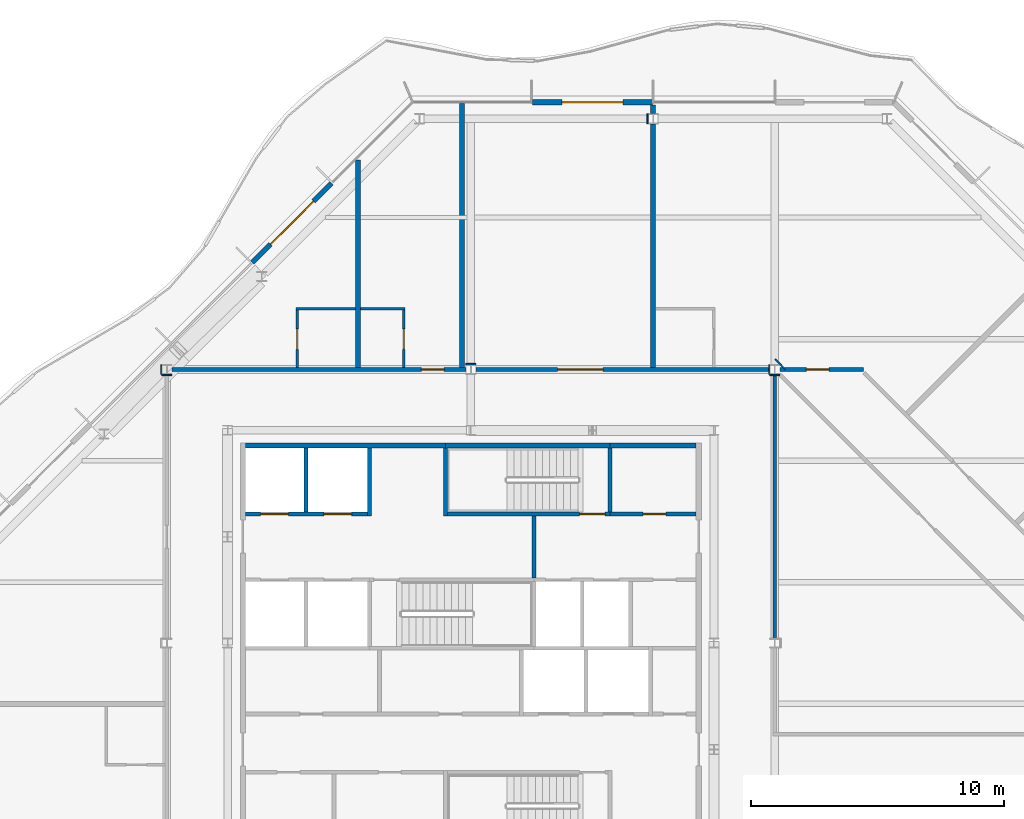
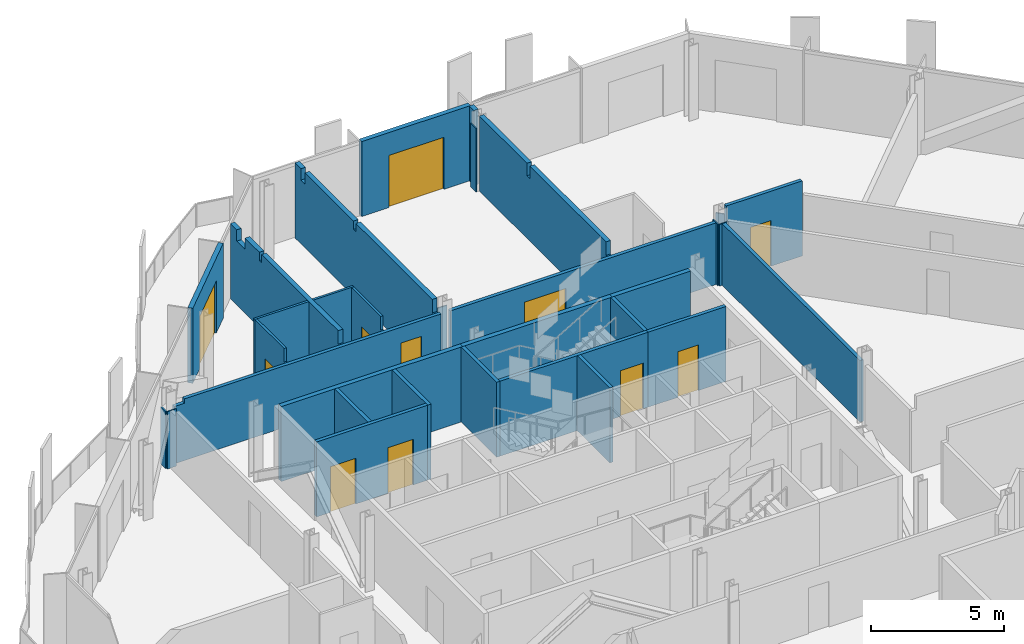
# One storey, part 11 of 17: 32 walls, 11 doors, 11 openings.
"""IFC4 building model written with IfcOpenShell, lengths in metres."""

from ifc_helpers import new_model, si_unit, direction, frame, frame_2d, origin, place, context, subcontext, project, spatial, polyline, rectangle, outline, extrude, material, layer, layer_set, type_object, element, fill, save


model = new_model("IFC4")

# Units and contexts
model_context = context("Model", 3, precision=1e-05, world=origin(), true_north=direction((0.0, 1.0)))
body_context = subcontext(model_context, "Body", "Model", "MODEL_VIEW")
ifc_project = project(units=[si_unit("LENGTHUNIT", "METRE"), si_unit("AREAUNIT", "SQUARE_METRE"), si_unit("VOLUMEUNIT", "CUBIC_METRE"), si_unit("PLANEANGLEUNIT", "RADIAN"), si_unit("MASSUNIT", "GRAM", prefix="KILO")], contexts=[model_context])

# Site, building, storey
site_placement = place(None, origin())
site = spatial("IfcSite", under=ifc_project, at=site_placement, CompositionType="ELEMENT")
building_placement = place(site_placement, origin())
building = spatial("IfcBuilding", under=site, at=building_placement, Name="Cairn Pilgrim Tower", CompositionType="ELEMENT")
storey_placement = place(building_placement, frame((0.0, 0.0, 239.39990234375)))
storey = spatial("IfcBuildingStorey", under=building, at=storey_placement, Name="L61", CompositionType="ELEMENT", Elevation=239.39990234375)

# Wall, opening, door
ifc_material_1 = material(Name="Bronze anodised aluminium insulated sandwich panel with mineral wool fill", Category="aluminium")
ifc_layer_1 = layer(ifc_material_1, 0.199951171875)
ifc_layer_set_1 = layer_set([ifc_layer_1], Name="BRONZE INFILL FRAME WALL 200")
wall_type_1 = type_object("IfcWallType", Name="BRONZE INFILL FRAME WALL 200", PredefinedType="NOTDEFINED", material=ifc_layer_set_1)
wall_1_placement = place(storey_placement, frame((14.3701171875, 23.75, 0.0), z_axis=(0.0, 0.0, 1.0), x_axis=(-1.0, 0.0, 0.0)))
wall_1 = element("IfcWall", 1, at=wall_1_placement, inside=storey, type_object=wall_type_1, Name="Bronze infill frame wall IW-N3", PredefinedType="NOTDEFINED", context=body_context, shape_type="SweptSolid", body=[
    extrude(rectangle(XDim=4.740234375, YDim=0.199951171875, at=frame_2d((2.3701171875, 0.0))), origin(), (0.0, 0.0, 1.0), 3.4501953125),
])
opening_1_placement = place(wall_1_placement, frame((1.169921875, 0.0, 0.0)))
opening_1 = element("IfcOpeningElement", 2, at=opening_1_placement, cuts=wall_1, Name="Opening 6109B", PredefinedType="OPENING", context=body_context, shape_type="SweptSolid", body=[
    extrude(rectangle(XDim=2.39990234375, YDim=2.39990234375, at=frame_2d((1.199951171875, 1.199951171875))), frame((0.0, 0.10986328125, 0.0), z_axis=(0.0, -1.0, 0.0), x_axis=(1.0, 0.0, 0.0)), (0.0, 0.0, 1.0), 0.219970703125),
])
ifc_material_2 = material(Name="Bronze anodised aluminium frame with tinted low-E glass", Category="aluminium")
door_type_1 = type_object("IfcDoorType", Name="BALCONY SLIDING DOOR 2400x2400", OperationType="DOUBLE_DOOR_SLIDING", PredefinedType="DOOR", material=ifc_material_2)
door_1_placement = place(opening_1_placement, origin())
door_1 = element("IfcDoor", 3, at=door_1_placement, inside=storey, type_object=door_type_1, Name="Balcony sliding door 6109B", OperationType="SINGLE_SWING_LEFT", OverallHeight=2.39990234375, OverallWidth=2.39990234375, PredefinedType="DOOR", context=body_context, shape_type="SweptSolid", body=[
    extrude(rectangle(XDim=2.39990234375, YDim=2.39990234375, at=frame_2d((1.199951171875, 1.199951171875))), frame((0.0, 0.02490234375, 0.0), z_axis=(0.0, -1.0, 0.0), x_axis=(1.0, 0.0, 0.0)), (0.0, 0.0, 1.0), 0.050048828125),
])
fill(opening_1, door_1)

wall_2_placement = place(storey_placement, frame((1.706787109375, 20.55322265625, 0.0), z_axis=(0.0, 0.0, 1.0), x_axis=(-0.707106781187, -0.707106781187, 0.0)))
wall_2 = element("IfcWall", 4, at=wall_2_placement, inside=storey, type_object=wall_type_1, Name="Bronze infill frame wall IW-NW2", PredefinedType="NOTDEFINED", context=body_context, shape_type="SweptSolid", body=[
    extrude(rectangle(XDim=4.43115234375, YDim=0.199951171875, at=frame_2d((2.215576171875, 0.0))), origin(), (0.0, 0.0, 1.0), 3.4501953125),
])
opening_2_placement = place(wall_2_placement, frame((1.015869140625, 0.0, 0.0)))
opening_2 = element("IfcOpeningElement", 5, at=opening_2_placement, cuts=wall_2, Name="Opening 6111B2", PredefinedType="OPENING", context=body_context, shape_type="SweptSolid", body=[
    extrude(rectangle(XDim=2.39990234375, YDim=2.39990234375, at=frame_2d((1.199951171875, 1.199951171875))), frame((0.0, 0.10986328125, 0.0), z_axis=(0.0, -1.0, 0.0), x_axis=(1.0, 0.0, 0.0)), (0.0, 0.0, 1.0), 0.219970703125),
])
door_2_placement = place(opening_2_placement, origin())
door_2 = element("IfcDoor", 6, at=door_2_placement, inside=storey, type_object=door_type_1, Name="Balcony sliding door 6111B2", OperationType="SINGLE_SWING_LEFT", OverallHeight=2.39990234375, OverallWidth=2.39990234375, PredefinedType="DOOR", context=body_context, shape_type="SweptSolid", body=[
    extrude(rectangle(XDim=2.39990234375, YDim=2.39990234375, at=frame_2d((1.199951171875, 1.199951171875))), frame((0.0, 0.02490234375, 0.0), z_axis=(0.0, -1.0, 0.0), x_axis=(1.0, 0.0, 0.0)), (0.0, 0.0, 1.0), 0.050048828125),
])
fill(opening_2, door_2)

# Walls
ifc_material_3 = material(Name="Concrete C32/40", Category="concrete")
ifc_layer_2 = layer(ifc_material_3, 0.199951171875)
ifc_layer_set_2 = layer_set([ifc_layer_2], Name="CORE OUTER WALL 200 EI 120")
wall_type_2 = type_object("IfcWallType", Name="CORE OUTER WALL 200 EI 120", PredefinedType="SOLIDWALL", material=ifc_layer_set_2)
wall_3_placement = place(storey_placement, frame((-1.699951171875, 10.199951171875, 0.0), z_axis=(0.0, 0.0, 1.0), x_axis=(1.0, 0.0, 0.0)))
element("IfcWall", 7, at=wall_3_placement, inside=storey, type_object=wall_type_2, Name="CW:L61:H12-1", PredefinedType="SOLIDWALL", context=body_context, shape_type="SweptSolid", body=[
    extrude(rectangle(XDim=7.89990234375, YDim=0.199951171875, at=frame_2d((3.949951171875, 0.0))), origin(), (0.0, 0.0, 1.0), 3.4501953125),
])
wall_4_placement = place(storey_placement, frame((12.699951171875, 10.199951171875, 0.0), z_axis=(0.0, 0.0, 1.0), x_axis=(1.0, 0.0, 0.0)))
element("IfcWall", 8, at=wall_4_placement, inside=storey, type_object=wall_type_2, Name="CW:L61:H12-3", PredefinedType="SOLIDWALL", context=body_context, shape_type="SweptSolid", body=[
    extrude(rectangle(XDim=3.400146484375, YDim=0.199951171875, at=frame_2d((1.7001953125, 0.0))), origin(), (0.0, 0.0, 1.0), 3.4501953125),
])

# Wall, openings, doors
ifc_layer_3 = layer(ifc_material_3, 0.14990234375)
ifc_layer_set_3 = layer_set([ifc_layer_3], Name="CORE SHAFT WALL 150 EI 120")
wall_type_3 = type_object("IfcWallType", Name="CORE SHAFT WALL 150 EI 120", PredefinedType="SOLIDWALL", material=ifc_layer_set_3)
wall_5_placement = place(storey_placement, frame((-1.699951171875, 7.5, 0.0), z_axis=(0.0, 0.0, 1.0), x_axis=(1.0, 0.0, 0.0)))
wall_5 = element("IfcWall", 9, at=wall_5_placement, inside=storey, type_object=wall_type_3, Name="CW:L61:H10", PredefinedType="SOLIDWALL", context=body_context, shape_type="SweptSolid", body=[
    extrude(rectangle(XDim=4.824951171875, YDim=0.14990234375, at=frame_2d((2.41259765625, 0.0))), origin(), (0.0, 0.0, 1.0), 3.4501953125),
])
opening_3_placement = place(wall_5_placement, frame((0.60009765625, 0.0, 0.0)))
opening_3 = element("IfcOpeningElement", 10, at=opening_3_placement, cuts=wall_5, Name="Opening LD-HR3", PredefinedType="OPENING", context=body_context, shape_type="SweptSolid", body=[
    extrude(rectangle(XDim=1.10009765625, YDim=2.10009765625, at=frame_2d((0.550048828125, 1.050048828125))), frame((0.0, 0.0849609375, 0.0), z_axis=(0.0, -1.0, 0.0), x_axis=(1.0, 0.0, 0.0)), (0.0, 0.0, 1.0), 0.169921875),
])
opening_4_placement = place(wall_5_placement, frame((3.10009765625, 0.0, 0.0)))
opening_4 = element("IfcOpeningElement", 11, at=opening_4_placement, cuts=wall_5, Name="Opening LD-HR4", PredefinedType="OPENING", context=body_context, shape_type="SweptSolid", body=[
    extrude(rectangle(XDim=1.10009765625, YDim=2.10009765625, at=frame_2d((0.550048828125, 1.050048828125))), frame((0.0, 0.0849609375, 0.0), z_axis=(0.0, -1.0, 0.0), x_axis=(1.0, 0.0, 0.0)), (0.0, 0.0, 1.0), 0.169921875),
])
ifc_material_4 = material(Name="Stainless steel", Category="steel")
door_type_2 = type_object("IfcDoorType", Name="LIFT LANDING DOOR 1100x2100", OperationType="DOUBLE_DOOR_SLIDING", PredefinedType="DOOR", material=ifc_material_4)
door_3_placement = place(opening_3_placement, origin())
door_3 = element("IfcDoor", 12, at=door_3_placement, inside=storey, type_object=door_type_2, Name="LANDING DOOR HR3", OperationType="DOUBLE_DOOR_SLIDING", OverallHeight=2.10009765625, OverallWidth=1.10009765625, PredefinedType="DOOR", context=body_context, shape_type="SweptSolid", body=[
    extrude(rectangle(XDim=1.10009765625, YDim=2.10009765625, at=frame_2d((0.550048828125, 1.050048828125))), frame((0.0, 0.02490234375, 0.0), z_axis=(0.0, -1.0, 0.0), x_axis=(1.0, 0.0, 0.0)), (0.0, 0.0, 1.0), 0.050048828125),
])
fill(opening_3, door_3)
door_4_placement = place(opening_4_placement, origin())
door_4 = element("IfcDoor", 13, at=door_4_placement, inside=storey, type_object=door_type_2, Name="LANDING DOOR HR4", OperationType="DOUBLE_DOOR_SLIDING", OverallHeight=2.10009765625, OverallWidth=1.10009765625, PredefinedType="DOOR", context=body_context, shape_type="SweptSolid", body=[
    extrude(rectangle(XDim=1.10009765625, YDim=2.10009765625, at=frame_2d((0.550048828125, 1.050048828125))), frame((0.0, 0.02490234375, 0.0), z_axis=(0.0, -1.0, 0.0), x_axis=(1.0, 0.0, 0.0)), (0.0, 0.0, 1.0), 0.050048828125),
])
fill(opening_4, door_4)

# Wall, opening, door
wall_6_placement = place(storey_placement, frame((12.699951171875, 7.5, 0.0), z_axis=(0.0, 0.0, 1.0), x_axis=(1.0, 0.0, 0.0)))
wall_6 = element("IfcWall", 14, at=wall_6_placement, inside=storey, type_object=wall_type_3, Name="CW:L61:H11-2", PredefinedType="SOLIDWALL", context=body_context, shape_type="SweptSolid", body=[
    extrude(rectangle(XDim=3.400146484375, YDim=0.14990234375, at=frame_2d((1.7001953125, 0.0))), origin(), (0.0, 0.0, 1.0), 3.4501953125),
])
opening_5_placement = place(wall_6_placement, frame((1.300048828125, 0.0, 0.0)))
opening_5 = element("IfcOpeningElement", 15, at=opening_5_placement, cuts=wall_6, Name="Opening RD-R4E", PredefinedType="OPENING", context=body_context, shape_type="SweptSolid", body=[
    extrude(rectangle(XDim=0.89990234375, YDim=2.10009765625, at=frame_2d((0.449951171875, 1.050048828125))), frame((0.0, 0.0849609375, 0.0), z_axis=(0.0, -1.0, 0.0), x_axis=(1.0, 0.0, 0.0)), (0.0, 0.0, 1.0), 0.169921875),
])
ifc_material_5 = material(Name="Painted steel", Category="steel")
door_type_3 = type_object("IfcDoorType", Name="SERVICE ROOM DOOR 900x2100", OperationType="SINGLE_SWING_LEFT", PredefinedType="DOOR", material=ifc_material_5)
door_5_placement = place(opening_5_placement, origin())
door_5 = element("IfcDoor", 16, at=door_5_placement, inside=storey, type_object=door_type_3, Name="RD-R4E", OperationType="SINGLE_SWING_RIGHT", OverallHeight=2.10009765625, OverallWidth=0.89990234375, PredefinedType="DOOR", context=body_context, shape_type="SweptSolid", body=[
    extrude(rectangle(XDim=0.89990234375, YDim=2.10009765625, at=frame_2d((0.449951171875, 1.050048828125))), frame((0.0, 0.02490234375, 0.0), z_axis=(0.0, -1.0, 0.0), x_axis=(1.0, 0.0, 0.0)), (0.0, 0.0, 1.0), 0.050048828125),
])
fill(opening_5, door_5)

# Walls
wall_7_placement = place(storey_placement, frame((0.699951171875, 7.574951171875, 0.0), z_axis=(0.0, 0.0, 1.0), x_axis=(0.0, 1.0, 0.0)))
element("IfcWall", 17, at=wall_7_placement, inside=storey, type_object=wall_type_3, Name="CW:L61:V15", PredefinedType="SOLIDWALL", context=body_context, shape_type="SweptSolid", body=[
    extrude(rectangle(XDim=2.525146484375, YDim=0.14990234375, at=frame_2d((1.2626953125, 0.0))), origin(), (0.0, 0.0, 1.0), 3.4501953125),
])
wall_8_placement = place(storey_placement, frame((3.199951171875, 7.425048828125, 0.0), z_axis=(0.0, 0.0, 1.0), x_axis=(0.0, 1.0, 0.0)))
element("IfcWall", 18, at=wall_8_placement, inside=storey, type_object=wall_type_3, Name="CW:L61:V18", PredefinedType="SOLIDWALL", context=body_context, shape_type="SweptSolid", body=[
    extrude(rectangle(XDim=2.675048828125, YDim=0.14990234375, at=frame_2d((1.33740234375, 0.0))), origin(), (0.0, 0.0, 1.0), 3.4501953125),
])
wall_9_placement = place(storey_placement, frame((9.699951171875, 4.97509765625, 0.0), z_axis=(0.0, 0.0, 1.0), x_axis=(0.0, 1.0, 0.0)))
element("IfcWall", 19, at=wall_9_placement, inside=storey, type_object=wall_type_3, Name="CW:L61:V24", PredefinedType="SOLIDWALL", context=body_context, shape_type="SweptSolid", body=[
    extrude(rectangle(XDim=2.449951171875, YDim=0.14990234375, at=frame_2d((1.22509765625, 0.0))), origin(), (0.0, 0.0, 1.0), 3.4501953125),
])

# Wall, opening, door
ifc_material_6 = material(Name="Gypsum partition")
ifc_layer_4 = layer(ifc_material_6, 0.10009765625)
ifc_layer_set_4 = layer_set([ifc_layer_4], Name="PARTITION 100 DRYWALL")
wall_type_4 = type_object("IfcWallType", Name="PARTITION 100 DRYWALL", PredefinedType="PARTITIONING", material=ifc_layer_set_4)
wall_10_placement = place(storey_placement, frame((0.35205078125, 13.27490234375, 0.0), z_axis=(0.0, 0.0, 1.0), x_axis=(0.0, 1.0, 0.0)))
wall_10 = element("IfcWall", 20, at=wall_10_placement, inside=storey, type_object=wall_type_4, Name="PARTITION W070", PredefinedType="PARTITIONING", context=body_context, shape_type="SweptSolid", body=[
    extrude(outline(polyline([(0.0, 0.0), (2.275146484375, 0.0), (2.27490234375, 3.4501953125), (0.074951171875, 3.4501953125), (0.072998046875, 2.830078125), (0.0, 2.830078125), (0.0, 0.0)])), frame((0.0, 0.050048828125, 0.0), z_axis=(0.0, -1.0, 0.0), x_axis=(1.0, 0.0, 0.0)), (0.0, 0.0, 1.0), 0.10009765625),
])
opening_6_placement = place(wall_10_placement, frame((0.72509765625, 0.0, 0.0)))
opening_6 = element("IfcOpeningElement", 21, at=opening_6_placement, cuts=wall_10, Name="Opening 6111A", PredefinedType="OPENING", context=body_context, shape_type="SweptSolid", body=[
    extrude(rectangle(XDim=0.800048828125, YDim=2.10009765625, at=frame_2d((0.39990234375, 1.050048828125))), frame((0.0, 0.06005859375, 0.0), z_axis=(0.0, -1.0, 0.0), x_axis=(1.0, 0.0, 0.0)), (0.0, 0.0, 1.0), 0.1201171875),
])
ifc_material_7 = material(Name="Timber door leaf", Category="wood")
door_type_4 = type_object("IfcDoorType", Name="WC DOOR 800x2100", OperationType="NOTDEFINED", PredefinedType="DOOR", material=ifc_material_7)
door_6_placement = place(opening_6_placement, origin())
door_6 = element("IfcDoor", 22, at=door_6_placement, inside=storey, type_object=door_type_4, Name="DOOR 6111A", OperationType="SINGLE_SWING_LEFT", OverallHeight=2.10009765625, OverallWidth=0.800048828125, PredefinedType="DOOR", context=body_context, shape_type="SweptSolid", body=[
    extrude(rectangle(XDim=0.800048828125, YDim=2.10009765625, at=frame_2d((0.39990234375, 1.050048828125))), frame((0.0, 0.02490234375, 0.0), z_axis=(0.0, -1.0, 0.0), x_axis=(1.0, 0.0, 0.0)), (0.0, 0.0, 1.0), 0.050048828125),
])
fill(opening_6, door_6)

wall_11_placement = place(storey_placement, frame((4.552001953125, 13.27490234375, 0.0), z_axis=(0.0, 0.0, 1.0), x_axis=(0.0, 1.0, 0.0)))
wall_11 = element("IfcWall", 23, at=wall_11_placement, inside=storey, type_object=wall_type_4, Name="PARTITION W072", PredefinedType="PARTITIONING", context=body_context, shape_type="SweptSolid", body=[
    extrude(outline(polyline([(0.0, 0.0), (2.275146484375, 0.0), (2.27490234375, 3.4501953125), (0.074951171875, 3.4501953125), (0.072998046875, 2.830078125), (0.0, 2.830078125), (0.0, 0.0)])), frame((0.0, 0.050048828125, 0.0), z_axis=(0.0, -1.0, 0.0), x_axis=(1.0, 0.0, 0.0)), (0.0, 0.0, 1.0), 0.10009765625),
])
opening_7_placement = place(wall_11_placement, frame((0.72509765625, 0.0, 0.0)))
opening_7 = element("IfcOpeningElement", 24, at=opening_7_placement, cuts=wall_11, Name="Opening 6110A", PredefinedType="OPENING", context=body_context, shape_type="SweptSolid", body=[
    extrude(rectangle(XDim=0.800048828125, YDim=2.10009765625, at=frame_2d((0.39990234375, 1.050048828125))), frame((0.0, 0.06005859375, 0.0), z_axis=(0.0, -1.0, 0.0), x_axis=(1.0, 0.0, 0.0)), (0.0, 0.0, 1.0), 0.1201171875),
])
door_7_placement = place(opening_7_placement, frame((0.800048828125, 0.0, 0.0), z_axis=(0.0, 0.0, 1.0), x_axis=(-1.0, 0.0, 0.0)))
door_7 = element("IfcDoor", 25, at=door_7_placement, inside=storey, type_object=door_type_4, Name="DOOR 6110A", OperationType="SINGLE_SWING_LEFT", OverallHeight=2.10009765625, OverallWidth=0.800048828125, PredefinedType="DOOR", context=body_context, shape_type="SweptSolid", body=[
    extrude(rectangle(XDim=0.800048828125, YDim=2.10009765625, at=frame_2d((0.39990234375, 1.050048828125))), frame((0.0, 0.02490234375, 0.0), z_axis=(0.0, -1.0, 0.0), x_axis=(1.0, 0.0, 0.0)), (0.0, 0.0, 1.0), 0.050048828125),
])
fill(opening_7, door_7)

# Walls
wall_12_placement = place(storey_placement, frame((0.302001953125, 15.60009765625, 0.0), z_axis=(0.0, 0.0, 1.0), x_axis=(1.0, 0.0, 0.0)))
element("IfcWall", 26, at=wall_12_placement, inside=storey, type_object=wall_type_4, Name="PARTITION W076", PredefinedType="PARTITIONING", context=body_context, shape_type="SweptSolid", body=[
    extrude(rectangle(XDim=2.35009765625, YDim=0.10009765625, at=frame_2d((1.175048828125, 0.0))), origin(), (0.0, 0.0, 1.0), 3.4501953125),
])
wall_13_placement = place(storey_placement, frame((2.85205078125, 15.60009765625, 0.0), z_axis=(0.0, 0.0, 1.0), x_axis=(1.0, 0.0, 0.0)))
element("IfcWall", 27, at=wall_13_placement, inside=storey, type_object=wall_type_4, Name="PARTITION W077", PredefinedType="PARTITIONING", context=body_context, shape_type="SweptSolid", body=[
    extrude(rectangle(XDim=1.75, YDim=0.10009765625, at=frame_2d((0.875, 0.0))), origin(), (0.0, 0.0, 1.0), 3.4501953125),
])
ifc_layer_5 = layer(ifc_material_6, 0.14990234375)
ifc_layer_set_5 = layer_set([ifc_layer_5], Name="PARTITION 150 DRYWALL EI 60")
wall_type_5 = type_object("IfcWallType", Name="PARTITION 150 DRYWALL EI 60", PredefinedType="PARTITIONING", material=ifc_layer_set_5)
wall_14_placement = place(storey_placement, frame((19.199951171875, 2.58740234375, 0.0), z_axis=(0.0, 0.0, 1.0), x_axis=(0.0, 1.0, 0.0)))
element("IfcWall", 28, at=wall_14_placement, inside=storey, type_object=wall_type_5, Name="PARTITION W059", PredefinedType="PARTITIONING", context=body_context, shape_type="SweptSolid", body=[
    extrude(rectangle(XDim=10.425048828125, YDim=0.14990234375, at=frame_2d((5.21240234375, 0.0))), origin(), (0.0, 0.0, 1.0), 2.830078125),
])

# Wall, opening, door
wall_15_placement = place(storey_placement, frame((-4.60302734375, 13.199951171875, 0.0), z_axis=(0.0, 0.0, 1.0), x_axis=(1.0, 0.0, 0.0)))
wall_15 = element("IfcWall", 29, at=wall_15_placement, inside=storey, type_object=wall_type_5, Name="PARTITION W067", PredefinedType="PARTITIONING", context=body_context, shape_type="SweptSolid", body=[
    extrude(outline(polyline([(0.0, 0.0), (11.60595703125, 0.0), (11.60595703125, 2.830078125), (0.44580078125, 2.830078125), (0.44384765625, 2.630126953125), (0.0, 2.630126953125), (0.0, 0.0)])), frame((0.0, 0.074951171875, 0.0), z_axis=(0.0, -1.0, 0.0), x_axis=(1.0, 0.0, 0.0)), (0.0, 0.0, 1.0), 0.14990234375),
])
opening_8_placement = place(wall_15_placement, frame((9.85302734375, 0.0, 0.0)))
opening_8 = element("IfcOpeningElement", 30, at=opening_8_placement, cuts=wall_15, Name="Opening 6110", PredefinedType="OPENING", context=body_context, shape_type="SweptSolid", body=[
    extrude(rectangle(XDim=0.89990234375, YDim=2.10009765625, at=frame_2d((0.449951171875, 1.050048828125))), frame((0.0, 0.0849609375, 0.0), z_axis=(0.0, -1.0, 0.0), x_axis=(1.0, 0.0, 0.0)), (0.0, 0.0, 1.0), 0.169921875),
])
door_type_5 = type_object("IfcDoorType", Name="ROOM DOOR 900x2100 FD30S", OperationType="NOTDEFINED", PredefinedType="DOOR", material=ifc_material_7)
door_8_placement = place(opening_8_placement, origin())
door_8 = element("IfcDoor", 31, at=door_8_placement, inside=storey, type_object=door_type_5, Name="DOOR 6110", OperationType="SINGLE_SWING_LEFT", OverallHeight=2.10009765625, OverallWidth=0.89990234375, PredefinedType="DOOR", context=body_context, shape_type="SweptSolid", body=[
    extrude(rectangle(XDim=0.89990234375, YDim=2.10009765625, at=frame_2d((0.449951171875, 1.050048828125))), frame((0.0, 0.02490234375, 0.0), z_axis=(0.0, -1.0, 0.0), x_axis=(1.0, 0.0, 0.0)), (0.0, 0.0, 1.0), 0.050048828125),
])
fill(opening_8, door_8)

wall_16_placement = place(storey_placement, frame((7.39697265625, 13.199951171875, 0.0), z_axis=(0.0, 0.0, 1.0), x_axis=(1.0, 0.0, 0.0)))
wall_16 = element("IfcWall", 32, at=wall_16_placement, inside=storey, type_object=wall_type_5, Name="PARTITION W068", PredefinedType="PARTITIONING", context=body_context, shape_type="SweptSolid", body=[
    extrude(rectangle(XDim=11.60595703125, YDim=0.14990234375, at=frame_2d((5.802978515625, 0.0))), origin(), (0.0, 0.0, 1.0), 2.830078125),
])
opening_9_placement = place(wall_16_placement, frame((3.22705078125, 0.0, 0.0)))
opening_9 = element("IfcOpeningElement", 33, at=opening_9_placement, cuts=wall_16, Name="Opening 6109", PredefinedType="OPENING", context=body_context, shape_type="SweptSolid", body=[
    extrude(rectangle(XDim=1.800048828125, YDim=2.10009765625, at=frame_2d((0.89990234375, 1.050048828125))), frame((0.0, 0.0849609375, 0.0), z_axis=(0.0, -1.0, 0.0), x_axis=(1.0, 0.0, 0.0)), (0.0, 0.0, 1.0), 0.169921875),
])
door_type_6 = type_object("IfcDoorType", Name="DOOR PAIR 1800x2100 FD60S", OperationType="NOTDEFINED", PredefinedType="DOOR", material=ifc_material_7)
door_9_placement = place(opening_9_placement, origin())
door_9 = element("IfcDoor", 34, at=door_9_placement, inside=storey, type_object=door_type_6, Name="DOOR 6109", OperationType="DOUBLE_DOOR_SINGLE_SWING", OverallHeight=2.10009765625, OverallWidth=1.800048828125, PredefinedType="DOOR", context=body_context, shape_type="SweptSolid", body=[
    extrude(rectangle(XDim=1.800048828125, YDim=2.10009765625, at=frame_2d((0.89990234375, 1.050048828125))), frame((0.0, 0.02490234375, 0.0), z_axis=(0.0, -1.0, 0.0), x_axis=(1.0, 0.0, 0.0)), (0.0, 0.0, 1.0), 0.050048828125),
])
fill(opening_9, door_9)

wall_17_placement = place(storey_placement, frame((19.39697265625, 13.199951171875, 0.0), z_axis=(0.0, 0.0, 1.0), x_axis=(1.0, 0.0, 0.0)))
wall_17 = element("IfcWall", 35, at=wall_17_placement, inside=storey, type_object=wall_type_5, Name="PARTITION W069", PredefinedType="PARTITIONING", context=body_context, shape_type="SweptSolid", body=[
    extrude(rectangle(XDim=3.30322265625, YDim=0.14990234375, at=frame_2d((1.651611328125, 0.0))), origin(), (0.0, 0.0, 1.0), 3.4501953125),
])
opening_10_placement = place(wall_17_placement, frame((1.050048828125, 0.0, 0.0)))
opening_10 = element("IfcOpeningElement", 36, at=opening_10_placement, cuts=wall_17, Name="Opening 6108", PredefinedType="OPENING", context=body_context, shape_type="SweptSolid", body=[
    extrude(rectangle(XDim=0.89990234375, YDim=2.10009765625, at=frame_2d((0.449951171875, 1.050048828125))), frame((0.0, 0.0849609375, 0.0), z_axis=(0.0, -1.0, 0.0), x_axis=(1.0, 0.0, 0.0)), (0.0, 0.0, 1.0), 0.169921875),
])
door_10_placement = place(opening_10_placement, origin())
door_10 = element("IfcDoor", 37, at=door_10_placement, inside=storey, type_object=door_type_5, Name="DOOR 6108", OperationType="SINGLE_SWING_RIGHT", OverallHeight=2.10009765625, OverallWidth=0.89990234375, PredefinedType="DOOR", context=body_context, shape_type="SweptSolid", body=[
    extrude(rectangle(XDim=0.89990234375, YDim=2.10009765625, at=frame_2d((0.449951171875, 1.050048828125))), frame((0.0, 0.02490234375, 0.0), z_axis=(0.0, -1.0, 0.0), x_axis=(1.0, 0.0, 0.0)), (0.0, 0.0, 1.0), 0.050048828125),
])
fill(opening_10, door_10)

# Walls
ifc_layer_6 = layer(ifc_material_6, 0.050048828125)
ifc_layer_set_6 = layer_set([ifc_layer_6], Name="PARTITION 50 DRYWALL EI 60")
wall_type_6 = type_object("IfcWallType", Name="PARTITION 50 DRYWALL EI 60", PredefinedType="PARTITIONING", material=ifc_layer_set_6)
wall_18_placement = place(storey_placement, frame((-5.02197265625, 13.012451171875, 0.0), z_axis=(0.0, 0.0, 1.0), x_axis=(0.0, 1.0, 0.0)))
element("IfcWall", 38, at=wall_18_placement, inside=storey, type_object=wall_type_6, Name="COLUMN CASING WC05", PredefinedType="PARTITIONING", context=body_context, shape_type="SweptSolid", body=[
    extrude(rectangle(XDim=0.375, YDim=0.050048828125, at=frame_2d((0.1875, 0.0))), origin(), (0.0, 0.0, 1.0), 2.630126953125),
])
wall_19_placement = place(storey_placement, frame((18.97802734375, 13.012451171875, 0.0), z_axis=(0.0, 0.0, 1.0), x_axis=(0.0, 1.0, 0.0)))
element("IfcWall", 39, at=wall_19_placement, inside=storey, type_object=wall_type_6, Name="COLUMN CASING WC13", PredefinedType="PARTITIONING", context=body_context, shape_type="SweptSolid", body=[
    extrude(rectangle(XDim=0.375, YDim=0.050048828125, at=frame_2d((0.1875, 0.0))), origin(), (0.0, 0.0, 1.0), 2.830078125),
])
wall_20_placement = place(storey_placement, frame((19.602294921875, 13.2177734375, 0.0), z_axis=(0.0, 0.0, 1.0), x_axis=(-0.707106781187, 0.707106781187, 0.0)))
element("IfcWall", 40, at=wall_20_placement, inside=storey, type_object=wall_type_6, Name="COLUMN CASING WC15", PredefinedType="PARTITIONING", context=body_context, shape_type="SweptSolid", body=[
    extrude(rectangle(XDim=0.543701171875, YDim=0.050048828125, at=frame_2d((0.27197265625, 0.0))), origin(), (0.0, 0.0, 1.0), 2.93017578125),
])
wall_21_placement = place(storey_placement, frame((-4.9970703125, 12.987548828125, 0.0), z_axis=(0.0, 0.0, 1.0), x_axis=(1.0, 0.0, 0.0)))
element("IfcWall", 41, at=wall_21_placement, inside=storey, type_object=wall_type_6, Name="COLUMN CASING WC19", PredefinedType="PARTITIONING", context=body_context, shape_type="SweptSolid", body=[
    extrude(rectangle(XDim=0.39404296875, YDim=0.050048828125, at=frame_2d((0.197021484375, 0.0))), origin(), (0.0, 0.0, 1.0), 2.630126953125),
])
wall_22_placement = place(storey_placement, frame((7.0029296875, 13.41259765625, 0.0), z_axis=(0.0, 0.0, 1.0), x_axis=(1.0, 0.0, 0.0)))
element("IfcWall", 42, at=wall_22_placement, inside=storey, type_object=wall_type_6, Name="COLUMN CASING WC20", PredefinedType="PARTITIONING", context=body_context, shape_type="SweptSolid", body=[
    extrude(rectangle(XDim=0.39404296875, YDim=0.050048828125, at=frame_2d((0.197021484375, 0.0))), origin(), (0.0, 0.0, 1.0), 2.93017578125),
])
wall_23_placement = place(storey_placement, frame((19.0029296875, 12.987548828125, 0.0), z_axis=(0.0, 0.0, 1.0), x_axis=(1.0, 0.0, 0.0)))
element("IfcWall", 43, at=wall_23_placement, inside=storey, type_object=wall_type_6, Name="COLUMN CASING WC21", PredefinedType="PARTITIONING", context=body_context, shape_type="SweptSolid", body=[
    extrude(rectangle(XDim=0.39404296875, YDim=0.050048828125, at=frame_2d((0.197021484375, 0.0))), origin(), (0.0, 0.0, 1.0), 2.830078125),
])
wall_24_placement = place(storey_placement, frame((14.173095703125, 22.896484375, 0.0), z_axis=(0.0, 0.0, 1.0), x_axis=(0.0, 1.0, 0.0)))
element("IfcWall", 44, at=wall_24_placement, inside=storey, type_object=wall_type_6, Name="COLUMN CASING WC22", PredefinedType="PARTITIONING", context=body_context, shape_type="SweptSolid", body=[
    extrude(rectangle(XDim=0.406982421875, YDim=0.050048828125, at=frame_2d((0.20361328125, 0.0))), origin(), (0.0, 0.0, 1.0), 2.93017578125),
])
ifc_layer_7 = layer(ifc_material_6, 0.199951171875)
ifc_layer_set_7 = layer_set([ifc_layer_7], Name="SHAFT WALL 200 GYPSUM EI 60")
wall_type_7 = type_object("IfcWallType", Name="SHAFT WALL 200 GYPSUM EI 60", PredefinedType="PARTITIONING", material=ifc_layer_set_7)
wall_25_placement = place(storey_placement, frame((2.751953125, 13.27490234375, 0.0), z_axis=(0.0, 0.0, 1.0), x_axis=(0.0, 1.0, 0.0)))
element("IfcWall", 45, at=wall_25_placement, inside=storey, type_object=wall_type_7, Name="PARTITION W071", PredefinedType="PARTITIONING", context=body_context, shape_type="SweptSolid", body=[
    extrude(outline(polyline([(0.0, 0.0), (8.199462890625, 0.0), (8.199462890625, 3.4501953125), (7.71630859375, 3.4501953125), (7.71435546875, 2.93017578125), (7.092041015625, 2.93017578125), (7.090087890625, 3.4501953125), (6.010009765625, 3.4501953125), (6.008056640625, 3.070068359375), (5.840087890625, 3.070068359375), (5.837890625, 3.4501953125), (0.074951171875, 3.4501953125), (0.072998046875, 2.830078125), (0.0, 2.830078125), (0.0, 0.0)])), frame((0.0, 0.10009765625, 0.0), z_axis=(0.0, -1.0, 0.0), x_axis=(1.0, 0.0, 0.0)), (0.0, 0.0, 1.0), 0.199951171875),
])
wall_26_placement = place(storey_placement, frame((6.847900390625, 13.27490234375, 0.0), z_axis=(0.0, 0.0, 1.0), x_axis=(0.0, 1.0, 0.0)))
element("IfcWall", 46, at=wall_26_placement, inside=storey, type_object=wall_type_7, Name="PARTITION W073", PredefinedType="PARTITIONING", context=body_context, shape_type="SweptSolid", body=[
    extrude(outline(polyline([(0.0, 0.0), (10.427978515625, 0.0), (10.427978515625, 3.4501953125), (9.97509765625, 3.4501953125), (9.972900390625, 2.93017578125), (9.675048828125, 2.93017578125), (9.673095703125, 3.4501953125), (6.010009765625, 3.4501953125), (6.008056640625, 3.070068359375), (5.840087890625, 3.070068359375), (5.837890625, 3.4501953125), (0.074951171875, 3.4501953125), (0.072998046875, 2.830078125), (0.0, 2.830078125), (0.0, 0.0)])), frame((0.0, 0.10009765625, 0.0), z_axis=(0.0, -1.0, 0.0), x_axis=(1.0, 0.0, 0.0)), (0.0, 0.0, 1.0), 0.199951171875),
])
wall_27_placement = place(storey_placement, frame((14.39990234375, 13.27490234375, 0.0), z_axis=(0.0, 0.0, 1.0), x_axis=(0.0, 1.0, 0.0)))
element("IfcWall", 47, at=wall_27_placement, inside=storey, type_object=wall_type_7, Name="PARTITION W074", PredefinedType="PARTITIONING", context=body_context, shape_type="SweptSolid", body=[
    extrude(outline(polyline([(0.0, 0.0), (9.62158203125, 0.0), (9.62158203125, 3.4501953125), (6.030029296875, 3.4501953125), (6.028076171875, 2.880126953125), (5.820068359375, 2.880126953125), (5.818115234375, 3.4501953125), (0.074951171875, 3.4501953125), (0.072998046875, 2.830078125), (0.0, 2.830078125), (0.0, 0.0)])), frame((0.0, 0.10009765625, 0.0), z_axis=(0.0, -1.0, 0.0), x_axis=(1.0, 0.0, 0.0)), (0.0, 0.0, 1.0), 0.199951171875),
])
wall_28_placement = place(storey_placement, frame((14.39990234375, 23.303466796875, 0.0), z_axis=(0.0, 0.0, 1.0), x_axis=(0.0, 1.0, 0.0)))
element("IfcWall", 48, at=wall_28_placement, inside=storey, type_object=wall_type_7, Name="PARTITION W080", PredefinedType="PARTITIONING", context=body_context, shape_type="SweptSolid", body=[
    extrude(rectangle(XDim=0.346435546875, YDim=0.199951171875, at=frame_2d((0.17333984375, 0.0))), origin(), (0.0, 0.0, 1.0), 3.4501953125),
])

# Wall, opening, door
ifc_material_8 = material(Name="Concrete C35/45", Category="concrete")
ifc_layer_8 = layer(ifc_material_8, 0.14990234375)
ifc_layer_set_8 = layer_set([ifc_layer_8], Name="STAIR SHAFT WALL 150 EI 120")
wall_type_8 = type_object("IfcWallType", Name="STAIR SHAFT WALL 150 EI 120", PredefinedType="SOLIDWALL", material=ifc_layer_set_8)
wall_29_placement = place(storey_placement, frame((6.27490234375, 7.5, 0.0), z_axis=(0.0, 0.0, 1.0), x_axis=(1.0, 0.0, 0.0)))
wall_29 = element("IfcWall", 49, at=wall_29_placement, inside=storey, type_object=wall_type_8, Name="CW:L61:H11-1", PredefinedType="SOLIDWALL", context=body_context, shape_type="SweptSolid", body=[
    extrude(rectangle(XDim=6.425048828125, YDim=0.14990234375, at=frame_2d((3.21240234375, 0.0))), origin(), (0.0, 0.0, 1.0), 3.4501953125),
])
opening_11_placement = place(wall_29_placement, frame((5.22509765625, 0.0, 0.0)))
opening_11 = element("IfcOpeningElement", 50, at=opening_11_placement, cuts=wall_29, Name="Opening SD-C", PredefinedType="OPENING", context=body_context, shape_type="SweptSolid", body=[
    extrude(rectangle(XDim=1.0, YDim=2.10009765625, at=frame_2d((0.5, 1.050048828125))), frame((0.0, 0.0849609375, 0.0), z_axis=(0.0, -1.0, 0.0), x_axis=(1.0, 0.0, 0.0)), (0.0, 0.0, 1.0), 0.169921875),
])
door_type_7 = type_object("IfcDoorType", Name="STAIR DOOR FD60S 1000x2100", OperationType="SINGLE_SWING_LEFT", PredefinedType="DOOR", material=ifc_material_5)
door_11_placement = place(opening_11_placement, origin())
door_11 = element("IfcDoor", 51, at=door_11_placement, inside=storey, type_object=door_type_7, Name="SD-C", OperationType="SINGLE_SWING_LEFT", OverallHeight=2.10009765625, OverallWidth=1.0, PredefinedType="DOOR", context=body_context, shape_type="SweptSolid", body=[
    extrude(rectangle(XDim=1.0, YDim=2.10009765625, at=frame_2d((0.5, 1.050048828125))), frame((0.0, 0.02490234375, 0.0), z_axis=(0.0, -1.0, 0.0), x_axis=(1.0, 0.0, 0.0)), (0.0, 0.0, 1.0), 0.050048828125),
])
fill(opening_11, door_11)

# Walls
wall_30_placement = place(storey_placement, frame((6.199951171875, 7.425048828125, 0.0), z_axis=(0.0, 0.0, 1.0), x_axis=(0.0, 1.0, 0.0)))
element("IfcWall", 52, at=wall_30_placement, inside=storey, type_object=wall_type_8, Name="CW:L61:V21", PredefinedType="SOLIDWALL", context=body_context, shape_type="SweptSolid", body=[
    extrude(rectangle(XDim=2.675048828125, YDim=0.14990234375, at=frame_2d((1.33740234375, 0.0))), origin(), (0.0, 0.0, 1.0), 3.4501953125),
])
wall_31_placement = place(storey_placement, frame((12.699951171875, 7.574951171875, 0.0), z_axis=(0.0, 0.0, 1.0), x_axis=(0.0, 1.0, 0.0)))
element("IfcWall", 53, at=wall_31_placement, inside=storey, type_object=wall_type_8, Name="CW:L61:V28", PredefinedType="SOLIDWALL", context=body_context, shape_type="SweptSolid", body=[
    extrude(rectangle(XDim=2.525146484375, YDim=0.14990234375, at=frame_2d((1.2626953125, 0.0))), origin(), (0.0, 0.0, 1.0), 3.4501953125),
])
ifc_layer_9 = layer(ifc_material_8, 0.199951171875)
ifc_layer_set_9 = layer_set([ifc_layer_9], Name="STAIR SHAFT WALL 200 EI 120")
wall_type_9 = type_object("IfcWallType", Name="STAIR SHAFT WALL 200 EI 120", PredefinedType="SOLIDWALL", material=ifc_layer_set_9)
wall_32_placement = place(storey_placement, frame((6.199951171875, 10.199951171875, 0.0), z_axis=(0.0, 0.0, 1.0), x_axis=(1.0, 0.0, 0.0)))
element("IfcWall", 54, at=wall_32_placement, inside=storey, type_object=wall_type_9, Name="CW:L61:H12-2", PredefinedType="SOLIDWALL", context=body_context, shape_type="SweptSolid", body=[
    extrude(rectangle(XDim=6.5, YDim=0.199951171875, at=frame_2d((3.25, 0.0))), origin(), (0.0, 0.0, 1.0), 3.4501953125),
])

save(model, "model.ifc")
